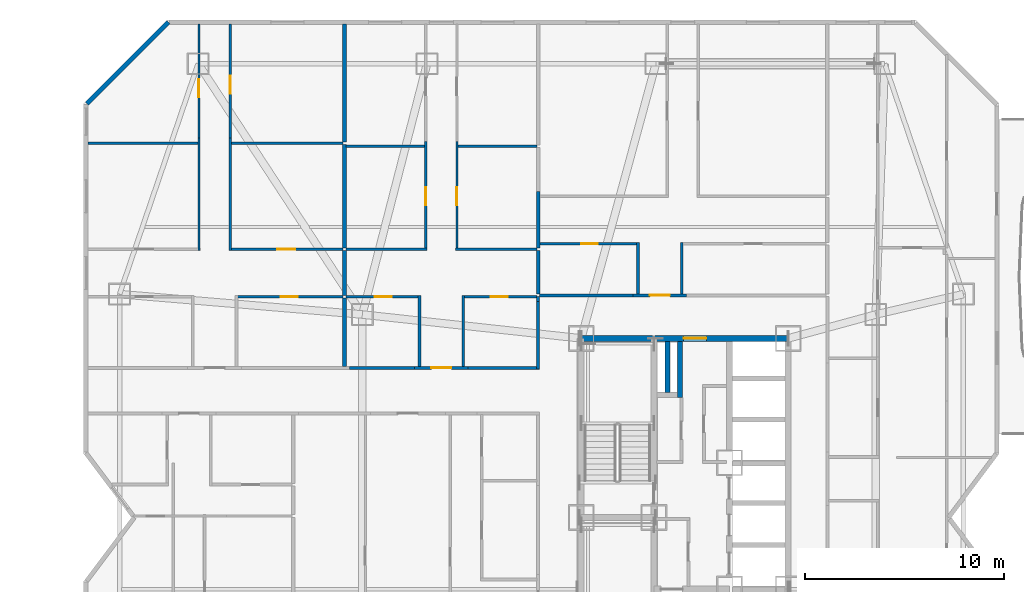
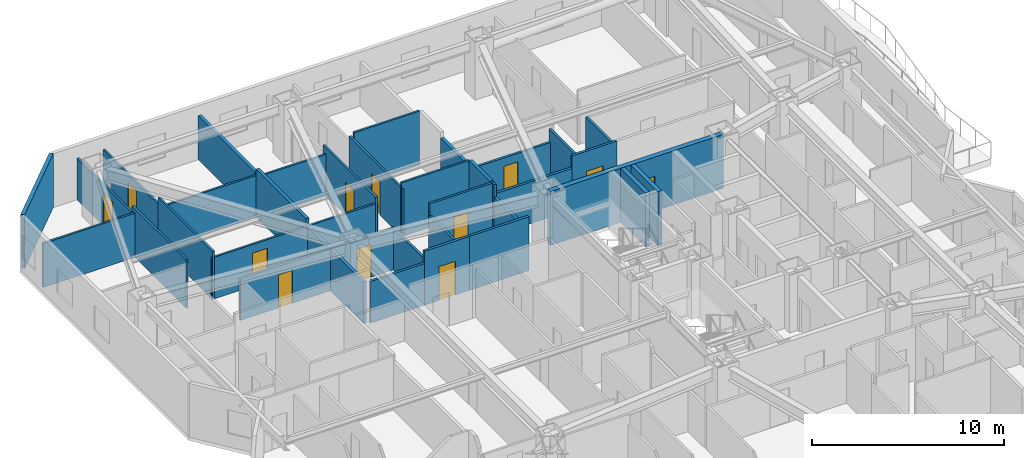
# One storey, part 12 of 16: 38 walls, 12 doors, 12 openings.
"""IFC4 building model written with IfcOpenShell, lengths in metres."""

from ifc_helpers import new_model, si_unit, direction, frame, frame_2d, origin, place, context, subcontext, project, spatial, rectangle, extrude, material, layer, layer_set, type_object, element, fill, save


model = new_model("IFC4")

# Units and contexts
model_context = context("Model", 3, precision=1e-05, world=origin(), true_north=direction((0.0, 1.0)))
body_context = subcontext(model_context, "Body", "Model", "MODEL_VIEW")
ifc_project = project(units=[si_unit("LENGTHUNIT", "METRE"), si_unit("AREAUNIT", "SQUARE_METRE"), si_unit("VOLUMEUNIT", "CUBIC_METRE"), si_unit("PLANEANGLEUNIT", "RADIAN"), si_unit("MASSUNIT", "GRAM", prefix="KILO")], contexts=[model_context])

# Site, building, storey
site_placement = place(None, origin())
site = spatial("IfcSite", under=ifc_project, at=site_placement, CompositionType="ELEMENT")
building_placement = place(site_placement, origin())
building = spatial("IfcBuilding", under=site, at=building_placement, Name="Khamvora Tower", CompositionType="ELEMENT")
storey_placement = place(building_placement, frame((0.0, 0.0, 66.14990234375)))
storey = spatial("IfcBuildingStorey", under=building, at=storey_placement, Name="L16", CompositionType="ELEMENT", Elevation=66.14990234375)

# Wall, opening, door
ifc_material_1 = material(Name="Concrete C50/60", Category="concrete")
ifc_layer_1 = layer(ifc_material_1, 0.300048828125)
ifc_layer_set_1 = layer_set([ifc_layer_1], Name="Concrete C50/60")
wall_type_1 = type_object("IfcWallType", Name="WAL-CORE-300", PredefinedType="SHEAR", material=ifc_layer_set_1)
wall_1_placement = place(storey_placement, frame((29.0, 37.0, 0.0), z_axis=(0.0, 0.0, 1.0), x_axis=(1.0, 0.0, 0.0)))
wall_1 = element("IfcWall", 1, at=wall_1_placement, inside=storey, type_object=wall_type_1, Name="L16 central core north wall", PredefinedType="SHEAR", context=body_context, shape_type="SweptSolid", body=[
    extrude(rectangle(XDim=10.39990234375, YDim=0.300048828125, at=frame_2d((5.199951171875, 0.0))), origin(), (0.0, 0.0, 1.0), 3.43017578125),
])
opening_1_placement = place(wall_1_placement, frame((5.139892578125, 0.0, 0.0)))
opening_1 = element("IfcOpeningElement", 2, at=opening_1_placement, cuts=wall_1, Name="Opening D-SC1", PredefinedType="OPENING", context=body_context, shape_type="SweptSolid", body=[
    extrude(rectangle(XDim=1.14990234375, YDim=2.199951171875, at=frame_2d((0.574951171875, 1.10009765625))), frame((0.0, 0.159912109375, 0.0), z_axis=(0.0, -1.0, 0.0), x_axis=(1.0, 0.0, 0.0)), (0.0, 0.0, 1.0), 0.320068359375),
])
ifc_material_2 = material(Name="Powder-Coated Steel and Hardwood Leaf", Category="steel")
door_type_1 = type_object("IfcDoorType", Name="DOR-SCHL-1150", OperationType="NOTDEFINED", PredefinedType="DOOR", material=ifc_material_2)
door_1_placement = place(opening_1_placement, origin())
door_1 = element("IfcDoor", 3, at=door_1_placement, inside=storey, type_object=door_type_1, Name="L16 north core lobby to corridor fire door", OperationType="SINGLE_SWING_LEFT", OverallHeight=2.199951171875, OverallWidth=1.14990234375, PredefinedType="DOOR", context=body_context, shape_type="SweptSolid", body=[
    extrude(rectangle(XDim=1.14990234375, YDim=2.199951171875, at=frame_2d((0.574951171875, 1.10009765625))), frame((0.0, 0.02490234375, 0.0), z_axis=(0.0, -1.0, 0.0), x_axis=(1.0, 0.0, 0.0)), (0.0, 0.0, 1.0), 0.050048828125),
])
fill(opening_1, door_1)

# Wall
ifc_material_3 = material(Name="Fire-Rated Drywall and Steel Stud", Category="steel")
ifc_layer_2 = layer(ifc_material_3, 0.14990234375)
ifc_layer_set_2 = layer_set([ifc_layer_2], Name="Fire-Rated Drywall and Steel Stud")
wall_type_2 = type_object("IfcWallType", Name="WAL-CORR-150", PredefinedType="STANDARD", material=ifc_layer_set_2)
wall_2_placement = place(storey_placement, frame((26.8349609375, 38.845947265625, 0.0), z_axis=(0.0, 0.0, 1.0), x_axis=(0.0, 1.0, 0.0)))
element("IfcWall", 4, at=wall_2_placement, inside=storey, type_object=wall_type_2, Name="L16 interior partition wall 024", PredefinedType="STANDARD", context=body_context, shape_type="SweptSolid", body=[
    extrude(rectangle(XDim=0.254150390625, YDim=0.14990234375, at=frame_2d((0.126953125, 0.0))), origin(), (0.0, 0.0, 1.0), 3.43017578125),
])

# Wall, opening, door
wall_3_placement = place(storey_placement, frame((20.62109375, 35.514892578125, 0.0), z_axis=(0.0, 0.0, 1.0), x_axis=(1.0, 0.0, 0.0)))
wall_3 = element("IfcWall", 5, at=wall_3_placement, inside=storey, type_object=wall_type_2, Name="L16 interior partition wall 025", PredefinedType="STANDARD", context=body_context, shape_type="SweptSolid", body=[
    extrude(rectangle(XDim=2.697998046875, YDim=0.14990234375, at=frame_2d((1.34912109375, 0.0))), origin(), (0.0, 0.0, 1.0), 3.43017578125),
])
opening_2_placement = place(wall_3_placement, frame((0.84912109375, 0.0, 0.0)))
opening_2 = element("IfcOpeningElement", 6, at=opening_2_placement, cuts=wall_3, Name="Opening D-U1", PredefinedType="OPENING", context=body_context, shape_type="SweptSolid", body=[
    extrude(rectangle(XDim=1.0, YDim=2.14990234375, at=frame_2d((0.5, 1.074951171875))), frame((0.0, 0.0849609375, 0.0), z_axis=(0.0, -1.0, 0.0), x_axis=(1.0, 0.0, 0.0)), (0.0, 0.0, 1.0), 0.169921875),
])
door_type_2 = type_object("IfcDoorType", Name="DOR-UNIT-1000", OperationType="NOTDEFINED", PredefinedType="DOOR", material=ifc_material_2)
door_2_placement = place(opening_2_placement, origin())
door_2 = element("IfcDoor", 7, at=door_2_placement, inside=storey, type_object=door_type_2, Name="L16 interior door COR-16WCH", OperationType="SINGLE_SWING_RIGHT", OverallHeight=2.14990234375, OverallWidth=1.0, PredefinedType="DOOR", context=body_context, shape_type="SweptSolid", body=[
    extrude(rectangle(XDim=1.0, YDim=2.14990234375, at=frame_2d((0.5, 1.074951171875))), frame((0.0, 0.02490234375, 0.0), z_axis=(0.0, -1.0, 0.0), x_axis=(1.0, 0.0, 0.0)), (0.0, 0.0, 1.0), 0.050048828125),
])
fill(opening_2, door_2)

# Walls
wall_4_placement = place(storey_placement, frame((17.35400390625, 35.514892578125, 0.0), z_axis=(0.0, 0.0, 1.0), x_axis=(1.0, 0.0, 0.0)))
element("IfcWall", 8, at=wall_4_placement, inside=storey, type_object=wall_type_2, Name="L16 interior partition wall 026", PredefinedType="STANDARD", context=body_context, shape_type="SweptSolid", body=[
    extrude(rectangle(XDim=3.26708984375, YDim=0.14990234375, at=frame_2d((1.633544921875, 0.0))), origin(), (0.0, 0.0, 1.0), 2.647216796875),
])
wall_5_placement = place(storey_placement, frame((26.8349609375, 35.449951171875, 0.0), z_axis=(0.0, 0.0, 1.0), x_axis=(0.0, 1.0, 0.0)))
element("IfcWall", 9, at=wall_5_placement, inside=storey, type_object=wall_type_2, Name="L16 interior partition wall 027", PredefinedType="STANDARD", context=body_context, shape_type="SweptSolid", body=[
    extrude(rectangle(XDim=3.39599609375, YDim=0.14990234375, at=frame_2d((1.697998046875, 0.0))), origin(), (0.0, 0.0, 1.0), 2.647216796875),
])
wall_6_placement = place(storey_placement, frame((23.319091796875, 35.514892578125, 0.0), z_axis=(0.0, 0.0, 1.0), x_axis=(1.0, 0.0, 0.0)))
element("IfcWall", 10, at=wall_6_placement, inside=storey, type_object=wall_type_2, Name="L16 interior partition wall 028", PredefinedType="STANDARD", context=body_context, shape_type="SweptSolid", body=[
    extrude(rectangle(XDim=3.578857421875, YDim=0.14990234375, at=frame_2d((1.78955078125, 0.0))), origin(), (0.0, 0.0, 1.0), 3.43017578125),
])

# Wall, opening, door
wall_7_placement = place(storey_placement, frame((31.60107421875, 39.1650390625, 0.0), z_axis=(0.0, 0.0, 1.0), x_axis=(1.0, 0.0, 0.0)))
wall_7 = element("IfcWall", 11, at=wall_7_placement, inside=storey, type_object=wall_type_2, Name="L16 interior partition wall 032", PredefinedType="STANDARD", context=body_context, shape_type="SweptSolid", body=[
    extrude(rectangle(XDim=2.697998046875, YDim=0.14990234375, at=frame_2d((1.34912109375, 0.0))), origin(), (0.0, 0.0, 1.0), 3.43017578125),
])
opening_3_placement = place(wall_7_placement, frame((0.84912109375, 0.0, 0.0)))
opening_3 = element("IfcOpeningElement", 12, at=opening_3_placement, cuts=wall_7, Name="Opening D-U1", PredefinedType="OPENING", context=body_context, shape_type="SweptSolid", body=[
    extrude(rectangle(XDim=1.0, YDim=2.14990234375, at=frame_2d((0.5, 1.074951171875))), frame((0.0, 0.0849609375, 0.0), z_axis=(0.0, -1.0, 0.0), x_axis=(1.0, 0.0, 0.0)), (0.0, 0.0, 1.0), 0.169921875),
])
door_3_placement = place(opening_3_placement, origin())
door_3 = element("IfcDoor", 13, at=door_3_placement, inside=storey, type_object=door_type_2, Name="L16 interior door COR-16NAH", OperationType="SINGLE_SWING_RIGHT", OverallHeight=2.14990234375, OverallWidth=1.0, PredefinedType="DOOR", context=body_context, shape_type="SweptSolid", body=[
    extrude(rectangle(XDim=1.0, YDim=2.14990234375, at=frame_2d((0.5, 1.074951171875))), frame((0.0, 0.02490234375, 0.0), z_axis=(0.0, -1.0, 0.0), x_axis=(1.0, 0.0, 0.0)), (0.0, 0.0, 1.0), 0.050048828125),
])
fill(opening_3, door_3)

# Walls
wall_8_placement = place(storey_placement, frame((26.89990234375, 39.1650390625, 0.0), z_axis=(0.0, 0.0, 1.0), x_axis=(1.0, 0.0, 0.0)))
element("IfcWall", 14, at=wall_8_placement, inside=storey, type_object=wall_type_2, Name="L16 interior partition wall 033", PredefinedType="STANDARD", context=body_context, shape_type="SweptSolid", body=[
    extrude(rectangle(XDim=4.701171875, YDim=0.14990234375, at=frame_2d((2.3505859375, 0.0))), origin(), (0.0, 0.0, 1.0), 2.647216796875),
])
ifc_material_4 = material(Name="Acoustic Double-Stud Fire Wall", Category="gypsum")
ifc_layer_3 = layer(ifc_material_4, 0.179931640625)
ifc_layer_set_3 = layer_set([ifc_layer_3], Name="Acoustic Double-Stud Fire Wall")
wall_type_3 = type_object("IfcWallType", Name="WAL-CORR-180", PredefinedType="STANDARD", material=ifc_layer_set_3)
wall_9_placement = place(storey_placement, frame((17.10498046875, 41.409912109375, 0.0), z_axis=(0.0, 0.0, 1.0), x_axis=(0.0, -1.0, 0.0)))
element("IfcWall", 15, at=wall_9_placement, inside=storey, type_object=wall_type_3, Name="L16 interior partition wall 104", PredefinedType="STANDARD", context=body_context, shape_type="SweptSolid", body=[
    extrude(rectangle(XDim=2.25, YDim=0.179931640625, at=frame_2d((1.125, 0.0))), origin(), (0.0, 0.0, 1.0), 2.647216796875),
])
wall_10_placement = place(storey_placement, frame((17.10498046875, 39.030029296875, 0.0), z_axis=(0.0, 0.0, 1.0), x_axis=(0.0, -1.0, 0.0)))
element("IfcWall", 16, at=wall_10_placement, inside=storey, type_object=wall_type_3, Name="L16 interior partition wall 105", PredefinedType="STANDARD", context=body_context, shape_type="SweptSolid", body=[
    extrude(rectangle(XDim=3.447998046875, YDim=0.179931640625, at=frame_2d((1.72412109375, 0.0))), origin(), (0.0, 0.0, 1.0), 2.647216796875),
])
wall_11_placement = place(storey_placement, frame((17.10498046875, 46.7470703125, 0.0), z_axis=(0.0, 0.0, 1.0), x_axis=(0.0, -1.0, 0.0)))
element("IfcWall", 17, at=wall_11_placement, inside=storey, type_object=wall_type_3, Name="L16 interior partition wall 108", PredefinedType="STANDARD", context=body_context, shape_type="SweptSolid", body=[
    extrude(rectangle(XDim=5.20703125, YDim=0.179931640625, at=frame_2d((2.603515625, 0.0))), origin(), (0.0, 0.0, 1.0), 3.065185546875),
])
wall_12_placement = place(storey_placement, frame((17.10498046875, 52.7880859375, 0.0), z_axis=(0.0, 0.0, 1.0), x_axis=(0.0, -1.0, 0.0)))
element("IfcWall", 18, at=wall_12_placement, inside=storey, type_object=wall_type_3, Name="L16 interior partition wall 109", PredefinedType="STANDARD", context=body_context, shape_type="SweptSolid", body=[
    extrude(rectangle(XDim=5.9111328125, YDim=0.179931640625, at=frame_2d((2.95556640625, 0.0))), origin(), (0.0, 0.0, 1.0), 2.802978515625),
])
wall_13_placement = place(storey_placement, frame((26.8349609375, 41.409912109375, 0.0), z_axis=(0.0, 0.0, 1.0), x_axis=(0.0, -1.0, 0.0)))
element("IfcWall", 19, at=wall_13_placement, inside=storey, type_object=wall_type_3, Name="L16 interior partition wall 120", PredefinedType="STANDARD", context=body_context, shape_type="SweptSolid", body=[
    extrude(rectangle(XDim=2.179931640625, YDim=0.179931640625, at=frame_2d((1.08984375, 0.0))), origin(), (0.0, 0.0, 1.0), 3.43017578125),
])
wall_14_placement = place(storey_placement, frame((26.8349609375, 44.383056640625, 0.0), z_axis=(0.0, 0.0, 1.0), x_axis=(0.0, -1.0, 0.0)))
element("IfcWall", 20, at=wall_14_placement, inside=storey, type_object=wall_type_3, Name="L16 interior partition wall 123", PredefinedType="STANDARD", context=body_context, shape_type="SweptSolid", body=[
    extrude(rectangle(XDim=2.843017578125, YDim=0.179931640625, at=frame_2d((1.42138671875, 0.0))), origin(), (0.0, 0.0, 1.0), 3.065185546875),
])
ifc_material_5 = material(Name="Precast concrete C40/50", Category="concrete")
ifc_layer_4 = layer(ifc_material_5, 0.219970703125)
ifc_layer_set_4 = layer_set([ifc_layer_4], Name="Precast concrete C40/50")
wall_type_4 = type_object("IfcWallType", Name="WAL-EXT-220", PredefinedType="STANDARD", material=ifc_layer_set_4)
wall_15_placement = place(storey_placement, frame((4.157958984375, 48.802001953125, 0.0), z_axis=(0.0, 0.0, 1.0), x_axis=(0.70712789547, 0.707085666273, 0.0)))
element("IfcWall", 21, at=wall_15_placement, inside=storey, type_object=wall_type_4, Name="L16 exterior facade wall 06.1", PredefinedType="STANDARD", context=body_context, shape_type="SweptSolid", body=[
    extrude(rectangle(XDim=5.78125, YDim=0.219970703125, at=frame_2d((2.890625, 0.0))), origin(), (0.0, 0.0, 1.0), 3.43017578125),
])
ifc_material_6 = material(Name="Gypsum Plasterboard Partition", Category="gypsum")
ifc_layer_5 = layer(ifc_material_6, 0.1201171875)
ifc_layer_set_5 = layer_set([ifc_layer_5], Name="Gypsum Plasterboard Partition")
wall_type_5 = type_object("IfcWallType", Name="WAL-PART-120", PredefinedType="PARTITIONING", material=ifc_layer_set_5)
wall_16_placement = place(storey_placement, frame((9.7900390625, 41.409912109375, 0.0), z_axis=(0.0, 0.0, 1.0), x_axis=(0.0, 1.0, 0.0)))
element("IfcWall", 22, at=wall_16_placement, inside=storey, type_object=wall_type_5, Name="L16 interior partition wall 099", PredefinedType="PARTITIONING", context=body_context, shape_type="SweptSolid", body=[
    extrude(rectangle(XDim=5.651123046875, YDim=0.1201171875, at=frame_2d((2.82568359375, 0.0))), origin(), (0.0, 0.0, 1.0), 3.065185546875),
])

# Wall, opening, door
wall_17_placement = place(storey_placement, frame((9.7900390625, 47.06103515625, 0.0), z_axis=(0.0, 0.0, 1.0), x_axis=(0.0, 1.0, 0.0)))
wall_17 = element("IfcWall", 23, at=wall_17_placement, inside=storey, type_object=wall_type_5, Name="L16 interior partition wall 100", PredefinedType="PARTITIONING", context=body_context, shape_type="SweptSolid", body=[
    extrude(rectangle(XDim=5.72705078125, YDim=0.1201171875, at=frame_2d((2.863525390625, 0.0))), origin(), (0.0, 0.0, 1.0), 2.647216796875),
])
opening_4_placement = place(wall_17_placement, frame((2.052978515625, 0.0, 0.0)))
opening_4 = element("IfcOpeningElement", 24, at=opening_4_placement, cuts=wall_17, Name="Opening D-RM1", PredefinedType="OPENING", context=body_context, shape_type="SweptSolid", body=[
    extrude(rectangle(XDim=0.89990234375, YDim=2.10009765625, at=frame_2d((0.449951171875, 1.050048828125))), frame((0.0, 0.070068359375, 0.0), z_axis=(0.0, -1.0, 0.0), x_axis=(1.0, 0.0, 0.0)), (0.0, 0.0, 1.0), 0.14013671875),
])
door_type_3 = type_object("IfcDoorType", Name="DOR-ROOM-900", OperationType="NOTDEFINED", PredefinedType="DOOR", material=ifc_material_2)
door_4_placement = place(opening_4_placement, origin())
door_4 = element("IfcDoor", 25, at=door_4_placement, inside=storey, type_object=door_type_3, Name="L16 interior door 16WBH-16WBR2", OperationType="SINGLE_SWING_LEFT", OverallHeight=2.10009765625, OverallWidth=0.89990234375, PredefinedType="DOOR", context=body_context, shape_type="SweptSolid", body=[
    extrude(rectangle(XDim=0.89990234375, YDim=2.10009765625, at=frame_2d((0.449951171875, 1.050048828125))), frame((0.0, 0.02490234375, 0.0), z_axis=(0.0, -1.0, 0.0), x_axis=(1.0, 0.0, 0.0)), (0.0, 0.0, 1.0), 0.050048828125),
])
fill(opening_4, door_4)

# Wall
wall_18_placement = place(storey_placement, frame((11.360107421875, 47.06103515625, 0.0), z_axis=(0.0, 0.0, 1.0), x_axis=(0.0, -1.0, 0.0)))
element("IfcWall", 26, at=wall_18_placement, inside=storey, type_object=wall_type_5, Name="L16 interior partition wall 101", PredefinedType="PARTITIONING", context=body_context, shape_type="SweptSolid", body=[
    extrude(rectangle(XDim=5.651123046875, YDim=0.1201171875, at=frame_2d((2.82568359375, 0.0))), origin(), (0.0, 0.0, 1.0), 3.065185546875),
])

# Wall, opening, door
wall_19_placement = place(storey_placement, frame((11.294921875, 41.47509765625, 0.0), z_axis=(0.0, 0.0, 1.0), x_axis=(1.0, 0.0, 0.0)))
wall_19 = element("IfcWall", 27, at=wall_19_placement, inside=storey, type_object=wall_type_5, Name="L16 interior partition wall 102", PredefinedType="PARTITIONING", context=body_context, shape_type="SweptSolid", body=[
    extrude(rectangle(XDim=5.7451171875, YDim=0.1201171875, at=frame_2d((2.87255859375, 0.0))), origin(), (0.0, 0.0, 1.0), 2.647216796875),
])
opening_5_placement = place(wall_19_placement, frame((2.422119140625, 0.0, 0.0)))
opening_5 = element("IfcOpeningElement", 28, at=opening_5_placement, cuts=wall_19, Name="Opening D-RM1", PredefinedType="OPENING", context=body_context, shape_type="SweptSolid", body=[
    extrude(rectangle(XDim=0.89990234375, YDim=2.10009765625, at=frame_2d((0.449951171875, 1.050048828125))), frame((0.0, 0.070068359375, 0.0), z_axis=(0.0, -1.0, 0.0), x_axis=(1.0, 0.0, 0.0)), (0.0, 0.0, 1.0), 0.14013671875),
])
door_5_placement = place(opening_5_placement, origin())
door_5 = element("IfcDoor", 29, at=door_5_placement, inside=storey, type_object=door_type_3, Name="L16 interior door 16WBH-16WBR3", OperationType="SINGLE_SWING_RIGHT", OverallHeight=2.10009765625, OverallWidth=0.89990234375, PredefinedType="DOOR", context=body_context, shape_type="SweptSolid", body=[
    extrude(rectangle(XDim=0.89990234375, YDim=2.10009765625, at=frame_2d((0.449951171875, 1.050048828125))), frame((0.0, 0.02490234375, 0.0), z_axis=(0.0, -1.0, 0.0), x_axis=(1.0, 0.0, 0.0)), (0.0, 0.0, 1.0), 0.050048828125),
])
fill(opening_5, door_5)

wall_20_placement = place(storey_placement, frame((11.360107421875, 52.7880859375, 0.0), z_axis=(0.0, 0.0, 1.0), x_axis=(0.0, -1.0, 0.0)))
wall_20 = element("IfcWall", 30, at=wall_20_placement, inside=storey, type_object=wall_type_5, Name="L16 interior partition wall 103", PredefinedType="PARTITIONING", context=body_context, shape_type="SweptSolid", body=[
    extrude(rectangle(XDim=5.72705078125, YDim=0.1201171875, at=frame_2d((2.863525390625, 0.0))), origin(), (0.0, 0.0, 1.0), 2.647216796875),
])
opening_6_placement = place(wall_20_placement, frame((2.593994140625, 0.0, 0.0)))
opening_6 = element("IfcOpeningElement", 31, at=opening_6_placement, cuts=wall_20, Name="Opening D-RM1", PredefinedType="OPENING", context=body_context, shape_type="SweptSolid", body=[
    extrude(rectangle(XDim=0.89990234375, YDim=2.10009765625, at=frame_2d((0.449951171875, 1.050048828125))), frame((0.0, 0.070068359375, 0.0), z_axis=(0.0, -1.0, 0.0), x_axis=(1.0, 0.0, 0.0)), (0.0, 0.0, 1.0), 0.14013671875),
])
door_6_placement = place(opening_6_placement, origin())
door_6 = element("IfcDoor", 32, at=door_6_placement, inside=storey, type_object=door_type_3, Name="L16 interior door 16WBH-16WBR4", OperationType="SINGLE_SWING_LEFT", OverallHeight=2.10009765625, OverallWidth=0.89990234375, PredefinedType="DOOR", context=body_context, shape_type="SweptSolid", body=[
    extrude(rectangle(XDim=0.89990234375, YDim=2.10009765625, at=frame_2d((0.449951171875, 1.050048828125))), frame((0.0, 0.02490234375, 0.0), z_axis=(0.0, -1.0, 0.0), x_axis=(1.0, 0.0, 0.0)), (0.0, 0.0, 1.0), 0.050048828125),
])
fill(opening_6, door_6)

# Walls
wall_21_placement = place(storey_placement, frame((4.2119140625, 46.81201171875, 0.0), z_axis=(0.0, 0.0, 1.0), x_axis=(1.0, 0.0, 0.0)))
element("IfcWall", 33, at=wall_21_placement, inside=storey, type_object=wall_type_5, Name="L16 interior partition wall 106", PredefinedType="PARTITIONING", context=body_context, shape_type="SweptSolid", body=[
    extrude(rectangle(XDim=5.524169921875, YDim=0.1201171875, at=frame_2d((2.76220703125, 0.0))), origin(), (0.0, 0.0, 1.0), 2.802978515625),
])
wall_22_placement = place(storey_placement, frame((11.4140625, 46.81201171875, 0.0), z_axis=(0.0, 0.0, 1.0), x_axis=(1.0, 0.0, 0.0)))
element("IfcWall", 34, at=wall_22_placement, inside=storey, type_object=wall_type_5, Name="L16 interior partition wall 107", PredefinedType="PARTITIONING", context=body_context, shape_type="SweptSolid", body=[
    extrude(rectangle(XDim=5.6259765625, YDim=0.1201171875, at=frame_2d((2.81298828125, 0.0))), origin(), (0.0, 0.0, 1.0), 2.647216796875),
])
wall_23_placement = place(storey_placement, frame((17.169921875, 41.47509765625, 0.0), z_axis=(0.0, 0.0, 1.0), x_axis=(1.0, 0.0, 0.0)))
element("IfcWall", 35, at=wall_23_placement, inside=storey, type_object=wall_type_5, Name="L16 interior partition wall 114", PredefinedType="PARTITIONING", context=body_context, shape_type="SweptSolid", body=[
    extrude(rectangle(XDim=4.080078125, YDim=0.1201171875, at=frame_2d((2.0400390625, 0.0))), origin(), (0.0, 0.0, 1.0), 2.647216796875),
])

# Wall, opening, door
wall_24_placement = place(storey_placement, frame((21.18505859375, 41.409912109375, 0.0), z_axis=(0.0, 0.0, 1.0), x_axis=(0.0, 1.0, 0.0)))
wall_24 = element("IfcWall", 36, at=wall_24_placement, inside=storey, type_object=wall_type_5, Name="L16 interior partition wall 115", PredefinedType="PARTITIONING", context=body_context, shape_type="SweptSolid", body=[
    extrude(rectangle(XDim=5.4921875, YDim=0.1201171875, at=frame_2d((2.74609375, 0.0))), origin(), (0.0, 0.0, 1.0), 3.065185546875),
])
opening_7_placement = place(wall_24_placement, frame((2.27490234375, 0.0, 0.0)))
opening_7 = element("IfcOpeningElement", 37, at=opening_7_placement, cuts=wall_24, Name="Opening D-RM1", PredefinedType="OPENING", context=body_context, shape_type="SweptSolid", body=[
    extrude(rectangle(XDim=0.89990234375, YDim=2.10009765625, at=frame_2d((0.449951171875, 1.050048828125))), frame((0.0, 0.070068359375, 0.0), z_axis=(0.0, -1.0, 0.0), x_axis=(1.0, 0.0, 0.0)), (0.0, 0.0, 1.0), 0.14013671875),
])
door_7_placement = place(opening_7_placement, origin())
door_7 = element("IfcDoor", 38, at=door_7_placement, inside=storey, type_object=door_type_3, Name="L16 interior door 16WCH-16WCL", OperationType="SINGLE_SWING_RIGHT", OverallHeight=2.10009765625, OverallWidth=0.89990234375, PredefinedType="DOOR", context=body_context, shape_type="SweptSolid", body=[
    extrude(rectangle(XDim=0.89990234375, YDim=2.10009765625, at=frame_2d((0.449951171875, 1.050048828125))), frame((0.0, 0.02490234375, 0.0), z_axis=(0.0, -1.0, 0.0), x_axis=(1.0, 0.0, 0.0)), (0.0, 0.0, 1.0), 0.050048828125),
])
fill(opening_7, door_7)

wall_25_placement = place(storey_placement, frame((22.7548828125, 46.902099609375, 0.0), z_axis=(0.0, 0.0, 1.0), x_axis=(0.0, -1.0, 0.0)))
wall_25 = element("IfcWall", 39, at=wall_25_placement, inside=storey, type_object=wall_type_5, Name="L16 interior partition wall 117", PredefinedType="PARTITIONING", context=body_context, shape_type="SweptSolid", body=[
    extrude(rectangle(XDim=5.4921875, YDim=0.1201171875, at=frame_2d((2.74609375, 0.0))), origin(), (0.0, 0.0, 1.0), 3.065185546875),
])
opening_8_placement = place(wall_25_placement, frame((2.31689453125, 0.0, 0.0)))
opening_8 = element("IfcOpeningElement", 40, at=opening_8_placement, cuts=wall_25, Name="Opening D-RM1", PredefinedType="OPENING", context=body_context, shape_type="SweptSolid", body=[
    extrude(rectangle(XDim=0.89990234375, YDim=2.10009765625, at=frame_2d((0.449951171875, 1.050048828125))), frame((0.0, 0.070068359375, 0.0), z_axis=(0.0, -1.0, 0.0), x_axis=(1.0, 0.0, 0.0)), (0.0, 0.0, 1.0), 0.14013671875),
])
door_8_placement = place(opening_8_placement, origin())
door_8 = element("IfcDoor", 41, at=door_8_placement, inside=storey, type_object=door_type_3, Name="L16 interior door 16WCH-16WCR3", OperationType="SINGLE_SWING_LEFT", OverallHeight=2.10009765625, OverallWidth=0.89990234375, PredefinedType="DOOR", context=body_context, shape_type="SweptSolid", body=[
    extrude(rectangle(XDim=0.89990234375, YDim=2.10009765625, at=frame_2d((0.449951171875, 1.050048828125))), frame((0.0, 0.02490234375, 0.0), z_axis=(0.0, -1.0, 0.0), x_axis=(1.0, 0.0, 0.0)), (0.0, 0.0, 1.0), 0.050048828125),
])
fill(opening_8, door_8)

# Walls
wall_26_placement = place(storey_placement, frame((22.68994140625, 41.47509765625, 0.0), z_axis=(0.0, 0.0, 1.0), x_axis=(1.0, 0.0, 0.0)))
element("IfcWall", 42, at=wall_26_placement, inside=storey, type_object=wall_type_5, Name="L16 interior partition wall 118", PredefinedType="PARTITIONING", context=body_context, shape_type="SweptSolid", body=[
    extrude(rectangle(XDim=4.080078125, YDim=0.1201171875, at=frame_2d((2.0400390625, 0.0))), origin(), (0.0, 0.0, 1.0), 3.43017578125),
])
wall_27_placement = place(storey_placement, frame((17.18701171875, 46.653076171875, 0.0), z_axis=(0.0, 0.0, 1.0), x_axis=(1.0, 0.0, 0.0)))
element("IfcWall", 43, at=wall_27_placement, inside=storey, type_object=wall_type_5, Name="L16 interior partition wall 121", PredefinedType="PARTITIONING", context=body_context, shape_type="SweptSolid", body=[
    extrude(rectangle(XDim=3.944091796875, YDim=0.1201171875, at=frame_2d((1.97216796875, 0.0))), origin(), (0.0, 0.0, 1.0), 2.647216796875),
])
wall_28_placement = place(storey_placement, frame((22.80908203125, 46.653076171875, 0.0), z_axis=(0.0, 0.0, 1.0), x_axis=(1.0, 0.0, 0.0)))
element("IfcWall", 44, at=wall_28_placement, inside=storey, type_object=wall_type_5, Name="L16 interior partition wall 122", PredefinedType="PARTITIONING", context=body_context, shape_type="SweptSolid", body=[
    extrude(rectangle(XDim=3.9609375, YDim=0.1201171875, at=frame_2d((1.98046875, 0.0))), origin(), (0.0, 0.0, 1.0), 3.43017578125),
])
ifc_material_7 = material(Name="Concrete C40/50", Category="concrete")
ifc_layer_6 = layer(ifc_material_7, 0.25)
ifc_layer_set_6 = layer_set([ifc_layer_6], Name="Concrete C40/50")
wall_type_6 = type_object("IfcWallType", Name="WAL-PODS-250", PredefinedType="SHEAR", material=ifc_layer_set_6)
wall_29_placement = place(storey_placement, frame((33.955078125, 34.02490234375, 0.0), z_axis=(0.0, 0.0, 1.0), x_axis=(0.0, 1.0, 0.0)))
element("IfcWall", 45, at=wall_29_placement, inside=storey, type_object=wall_type_6, Name="L16 vertical MEP riser shaft east enclosure wall", PredefinedType="SHEAR", context=body_context, shape_type="SweptSolid", body=[
    extrude(rectangle(XDim=2.821044921875, YDim=0.25, at=frame_2d((1.41064453125, 0.0))), origin(), (0.0, 0.0, 1.0), 3.43017578125),
])
wall_30_placement = place(storey_placement, frame((33.340087890625, 34.279052734375, 0.0), z_axis=(0.0, 0.0, 1.0), x_axis=(0.0, 1.0, 0.0)))
element("IfcWall", 46, at=wall_30_placement, inside=storey, type_object=wall_type_6, Name="L16 vertical MEP riser shaft divider enclosure wall", PredefinedType="SHEAR", context=body_context, shape_type="SweptSolid", body=[
    extrude(rectangle(XDim=2.56689453125, YDim=0.25, at=frame_2d((1.283447265625, 0.0))), origin(), (0.0, 0.0, 1.0), 3.43017578125),
])

# Wall, opening, door
ifc_material_8 = material(Name="Moisture-Resistant Plasterboard Partition", Category="gypsum")
ifc_layer_7 = layer(ifc_material_8, 0.135009765625)
ifc_layer_set_7 = layer_set([ifc_layer_7], Name="Moisture-Resistant Plasterboard Partition")
wall_type_7 = type_object("IfcWallType", Name="WAL-WET-135", PredefinedType="PARTITIONING", material=ifc_layer_set_7)
wall_31_placement = place(storey_placement, frame((17.0400390625, 39.094970703125, 0.0), z_axis=(0.0, 0.0, 1.0), x_axis=(-1.0, 0.0, 0.0)))
wall_31 = element("IfcWall", 47, at=wall_31_placement, inside=storey, type_object=wall_type_7, Name="L16 interior partition wall 096", PredefinedType="PARTITIONING", context=body_context, shape_type="SweptSolid", body=[
    extrude(rectangle(XDim=5.429931640625, YDim=0.135009765625, at=frame_2d((2.71484375, 0.0))), origin(), (0.0, 0.0, 1.0), 2.647216796875),
])
opening_9_placement = place(wall_31_placement, frame((2.2900390625, 0.0, 0.0)))
opening_9 = element("IfcOpeningElement", 48, at=opening_9_placement, cuts=wall_31, Name="Opening D-RM2", PredefinedType="OPENING", context=body_context, shape_type="SweptSolid", body=[
    extrude(rectangle(XDim=0.85009765625, YDim=2.10009765625, at=frame_2d((0.425048828125, 1.050048828125))), frame((0.0, 0.077392578125, 0.0), z_axis=(0.0, -1.0, 0.0), x_axis=(1.0, 0.0, 0.0)), (0.0, 0.0, 1.0), 0.155029296875),
])
door_type_4 = type_object("IfcDoorType", Name="DOR-ROOM-850", OperationType="NOTDEFINED", PredefinedType="DOOR", material=ifc_material_2)
door_9_placement = place(opening_9_placement, origin())
door_9 = element("IfcDoor", 49, at=door_9_placement, inside=storey, type_object=door_type_4, Name="L16 interior door 16WBH-16WBK", OperationType="SINGLE_SWING_RIGHT", OverallHeight=2.10009765625, OverallWidth=0.85009765625, PredefinedType="DOOR", context=body_context, shape_type="SweptSolid", body=[
    extrude(rectangle(XDim=0.85009765625, YDim=2.10009765625, at=frame_2d((0.425048828125, 1.050048828125))), frame((0.0, 0.02490234375, 0.0), z_axis=(0.0, -1.0, 0.0), x_axis=(1.0, 0.0, 0.0)), (0.0, 0.0, 1.0), 0.050048828125),
])
fill(opening_9, door_9)

# Wall
wall_32_placement = place(storey_placement, frame((20.8701171875, 35.58203125, 0.0), z_axis=(0.0, 0.0, 1.0), x_axis=(0.0, 1.0, 0.0)))
element("IfcWall", 50, at=wall_32_placement, inside=storey, type_object=wall_type_7, Name="L16 interior partition wall 110", PredefinedType="PARTITIONING", context=body_context, shape_type="SweptSolid", body=[
    extrude(rectangle(XDim=3.577880859375, YDim=0.135009765625, at=frame_2d((1.7890625, 0.0))), origin(), (0.0, 0.0, 1.0), 2.647216796875),
])

# Wall, opening, door
wall_33_placement = place(storey_placement, frame((20.93505859375, 39.094970703125, 0.0), z_axis=(0.0, 0.0, 1.0), x_axis=(-1.0, 0.0, 0.0)))
wall_33 = element("IfcWall", 51, at=wall_33_placement, inside=storey, type_object=wall_type_7, Name="L16 interior partition wall 111", PredefinedType="PARTITIONING", context=body_context, shape_type="SweptSolid", body=[
    extrude(rectangle(XDim=3.76513671875, YDim=0.135009765625, at=frame_2d((1.882568359375, 0.0))), origin(), (0.0, 0.0, 1.0), 2.647216796875),
])
opening_10_placement = place(wall_33_placement, frame((1.4580078125, 0.0, 0.0)))
opening_10 = element("IfcOpeningElement", 52, at=opening_10_placement, cuts=wall_33, Name="Opening D-WC1", PredefinedType="OPENING", context=body_context, shape_type="SweptSolid", body=[
    extrude(rectangle(XDim=0.85009765625, YDim=2.10009765625, at=frame_2d((0.425048828125, 1.050048828125))), frame((0.0, 0.077392578125, 0.0), z_axis=(0.0, -1.0, 0.0), x_axis=(1.0, 0.0, 0.0)), (0.0, 0.0, 1.0), 0.155029296875),
])
door_type_5 = type_object("IfcDoorType", Name="DOR-WET-850", OperationType="NOTDEFINED", PredefinedType="DOOR", material=ifc_material_2)
door_10_placement = place(opening_10_placement, origin())
door_10 = element("IfcDoor", 53, at=door_10_placement, inside=storey, type_object=door_type_5, Name="L16 interior door 16WCH-16WCB", OperationType="SINGLE_SWING_LEFT", OverallHeight=2.10009765625, OverallWidth=0.85009765625, PredefinedType="DOOR", context=body_context, shape_type="SweptSolid", body=[
    extrude(rectangle(XDim=0.85009765625, YDim=2.10009765625, at=frame_2d((0.425048828125, 1.050048828125))), frame((0.0, 0.02490234375, 0.0), z_axis=(0.0, -1.0, 0.0), x_axis=(1.0, 0.0, 0.0)), (0.0, 0.0, 1.0), 0.050048828125),
])
fill(opening_10, door_10)

# Wall
wall_34_placement = place(storey_placement, frame((23.070068359375, 39.159912109375, 0.0), z_axis=(0.0, 0.0, 1.0), x_axis=(0.0, -1.0, 0.0)))
element("IfcWall", 54, at=wall_34_placement, inside=storey, type_object=wall_type_7, Name="L16 interior partition wall 112", PredefinedType="PARTITIONING", context=body_context, shape_type="SweptSolid", body=[
    extrude(rectangle(XDim=3.577880859375, YDim=0.135009765625, at=frame_2d((1.7890625, 0.0))), origin(), (0.0, 0.0, 1.0), 2.647216796875),
])

# Wall, opening, door
wall_35_placement = place(storey_placement, frame((26.77001953125, 39.094970703125, 0.0), z_axis=(0.0, 0.0, 1.0), x_axis=(-1.0, 0.0, 0.0)))
wall_35 = element("IfcWall", 55, at=wall_35_placement, inside=storey, type_object=wall_type_7, Name="L16 interior partition wall 113", PredefinedType="PARTITIONING", context=body_context, shape_type="SweptSolid", body=[
    extrude(rectangle(XDim=3.76513671875, YDim=0.135009765625, at=frame_2d((1.882568359375, 0.0))), origin(), (0.0, 0.0, 1.0), 3.43017578125),
])
opening_11_placement = place(wall_35_placement, frame((1.4580078125, 0.0, 0.0)))
opening_11 = element("IfcOpeningElement", 56, at=opening_11_placement, cuts=wall_35, Name="Opening D-RM2", PredefinedType="OPENING", context=body_context, shape_type="SweptSolid", body=[
    extrude(rectangle(XDim=0.85009765625, YDim=2.10009765625, at=frame_2d((0.425048828125, 1.050048828125))), frame((0.0, 0.077392578125, 0.0), z_axis=(0.0, -1.0, 0.0), x_axis=(1.0, 0.0, 0.0)), (0.0, 0.0, 1.0), 0.155029296875),
])
door_11_placement = place(opening_11_placement, origin())
door_11 = element("IfcDoor", 57, at=door_11_placement, inside=storey, type_object=door_type_4, Name="L16 interior door 16WCH-16WCK", OperationType="SINGLE_SWING_LEFT", OverallHeight=2.10009765625, OverallWidth=0.85009765625, PredefinedType="DOOR", context=body_context, shape_type="SweptSolid", body=[
    extrude(rectangle(XDim=0.85009765625, YDim=2.10009765625, at=frame_2d((0.425048828125, 1.050048828125))), frame((0.0, 0.02490234375, 0.0), z_axis=(0.0, -1.0, 0.0), x_axis=(1.0, 0.0, 0.0)), (0.0, 0.0, 1.0), 0.050048828125),
])
fill(opening_11, door_11)

# Wall
wall_36_placement = place(storey_placement, frame((31.85009765625, 39.23193359375, 0.0), z_axis=(0.0, 0.0, 1.0), x_axis=(0.0, 1.0, 0.0)))
element("IfcWall", 58, at=wall_36_placement, inside=storey, type_object=wall_type_7, Name="L16 interior partition wall 137", PredefinedType="PARTITIONING", context=body_context, shape_type="SweptSolid", body=[
    extrude(rectangle(XDim=2.587158203125, YDim=0.135009765625, at=frame_2d((1.29345703125, 0.0))), origin(), (0.0, 0.0, 1.0), 3.43017578125),
])

# Wall, opening, door
wall_37_placement = place(storey_placement, frame((31.9150390625, 41.75390625, 0.0), z_axis=(0.0, 0.0, 1.0), x_axis=(-1.0, 0.0, 0.0)))
wall_37 = element("IfcWall", 59, at=wall_37_placement, inside=storey, type_object=wall_type_7, Name="L16 interior partition wall 138", PredefinedType="PARTITIONING", context=body_context, shape_type="SweptSolid", body=[
    extrude(rectangle(XDim=4.998046875, YDim=0.135009765625, at=frame_2d((2.4990234375, 0.0))), origin(), (0.0, 0.0, 1.0), 2.647216796875),
])
opening_12_placement = place(wall_37_placement, frame((2.073974609375, 0.0, 0.0)))
opening_12 = element("IfcOpeningElement", 60, at=opening_12_placement, cuts=wall_37, Name="Opening D-WC1", PredefinedType="OPENING", context=body_context, shape_type="SweptSolid", body=[
    extrude(rectangle(XDim=0.85009765625, YDim=2.10009765625, at=frame_2d((0.425048828125, 1.050048828125))), frame((0.0, 0.077392578125, 0.0), z_axis=(0.0, -1.0, 0.0), x_axis=(1.0, 0.0, 0.0)), (0.0, 0.0, 1.0), 0.155029296875),
])
door_12_placement = place(opening_12_placement, origin())
door_12 = element("IfcDoor", 61, at=door_12_placement, inside=storey, type_object=door_type_5, Name="L16 interior door 16NAH-16NAB", OperationType="SINGLE_SWING_RIGHT", OverallHeight=2.10009765625, OverallWidth=0.85009765625, PredefinedType="DOOR", context=body_context, shape_type="SweptSolid", body=[
    extrude(rectangle(XDim=0.85009765625, YDim=2.10009765625, at=frame_2d((0.425048828125, 1.050048828125))), frame((0.0, 0.02490234375, 0.0), z_axis=(0.0, -1.0, 0.0), x_axis=(1.0, 0.0, 0.0)), (0.0, 0.0, 1.0), 0.050048828125),
])
fill(opening_12, door_12)

# Wall
wall_38_placement = place(storey_placement, frame((34.050048828125, 41.819091796875, 0.0), z_axis=(0.0, 0.0, 1.0), x_axis=(0.0, -1.0, 0.0)))
element("IfcWall", 62, at=wall_38_placement, inside=storey, type_object=wall_type_7, Name="L16 interior partition wall 140", PredefinedType="PARTITIONING", context=body_context, shape_type="SweptSolid", body=[
    extrude(rectangle(XDim=2.587158203125, YDim=0.135009765625, at=frame_2d((1.29345703125, 0.0))), origin(), (0.0, 0.0, 1.0), 3.43017578125),
])

save(model, "model.ifc")
